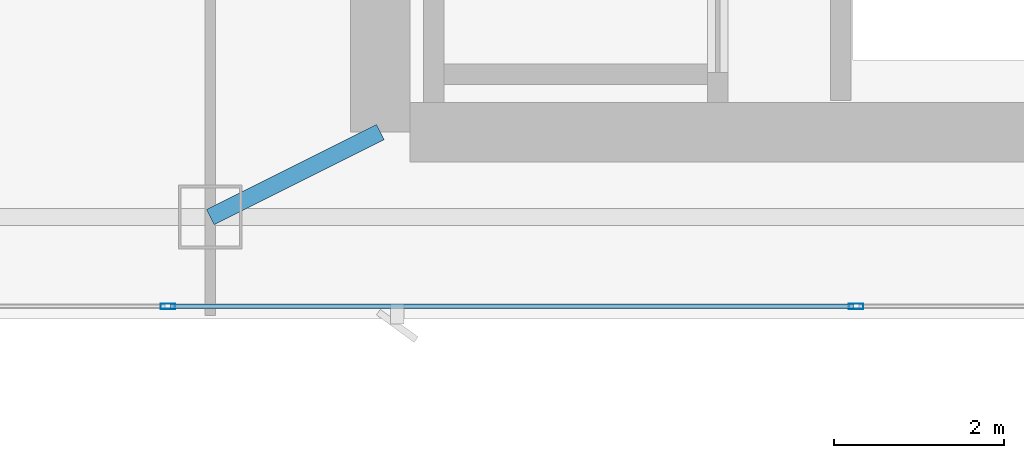
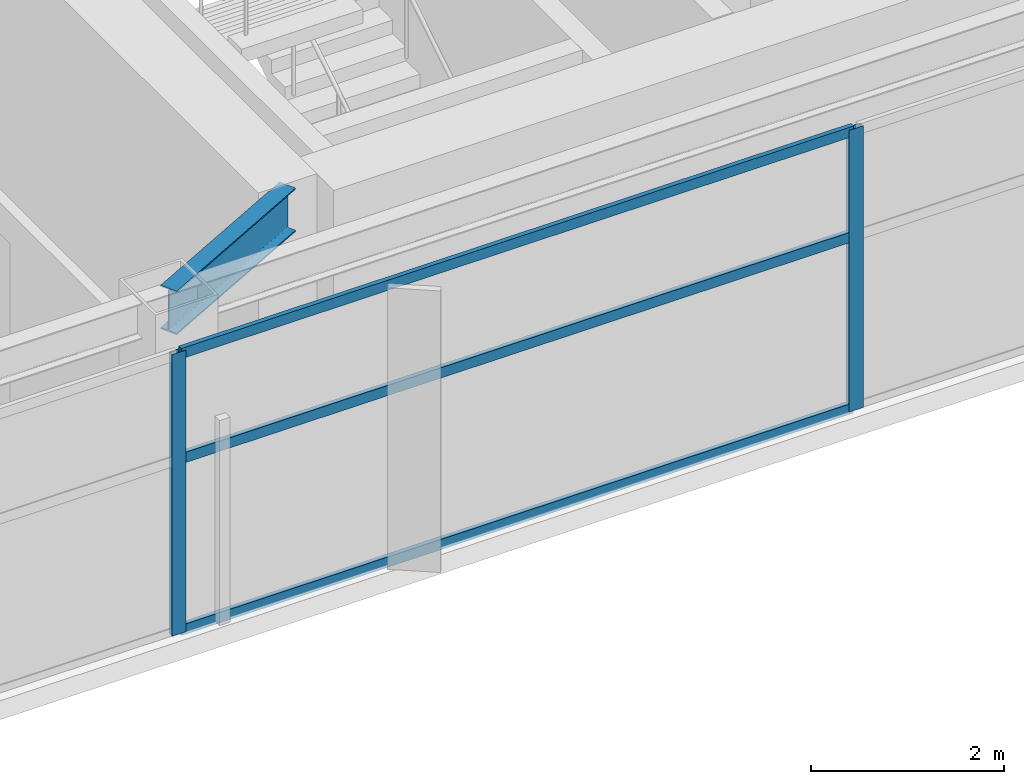
# One storey, part 7 of 29: 5 members, 1 beam, 1 element without a shape of its own.
"""IFC4 building model written with IfcOpenShell, lengths in metres."""

from ifc_helpers import new_model, si_unit, direction, frame, origin, origin_2d, place, context, subcontext, project, spatial, hollow_rectangle, i_section, extrude, material, layer, layer_set, material_profile, profile_set, type_object, element, aggregate, save


model = new_model("IFC4")

# Units and contexts
model_context = context("Model", 3, precision=1e-05, world=origin(), true_north=direction((0.0, 1.0)))
body_context = subcontext(model_context, "Body", "Model", "MODEL_VIEW")
ifc_project = project(units=[si_unit("LENGTHUNIT", "METRE"), si_unit("AREAUNIT", "SQUARE_METRE"), si_unit("VOLUMEUNIT", "CUBIC_METRE"), si_unit("PLANEANGLEUNIT", "RADIAN"), si_unit("MASSUNIT", "GRAM", prefix="KILO")], contexts=[model_context])

# Site, building, storey
site_placement = place(None, origin())
site = spatial("IfcSite", under=ifc_project, at=site_placement, CompositionType="ELEMENT")
building_placement = place(site_placement, origin())
building = spatial("IfcBuilding", under=site, at=building_placement, Name="Calvorn Quay Hotel", CompositionType="ELEMENT")
storey_placement = place(building_placement, frame((0.0, 0.0, 247.60009765625)))
storey = spatial("IfcBuildingStorey", under=building, at=storey_placement, Name="L61", CompositionType="ELEMENT", Elevation=247.60009765625)

# Beam
ifc_material_1 = material(Name="Steel Q355B", Category="steel")
ifc_material_profile_1 = material_profile(ifc_material_1, i_section(OverallWidth=0.199951171875, OverallDepth=0.550048828125, WebThickness=0.010009765625, FlangeThickness=0.01611328125, FilletRadius=0.01806640625, at=origin_2d()), Name="HN550x200x10x16")
ifc_profile_set_1 = profile_set([ifc_material_profile_1], Name="Steel Q355B")
beam_type = type_object("IfcBeamType", Name="BM-GIRD-UPP", PredefinedType="BEAM", material=ifc_profile_set_1)
beam_placement = place(storey_placement, frame((19.60009765625, 3.60009765625, 3.264892578125), z_axis=(0.894427191, 0.4472135955, 0.0), x_axis=(-0.4472135955, 0.894427191, 0.0)))
element("IfcBeam", 1, at=beam_placement, inside=storey, type_object=beam_type, Name="Beam BG-L61-S2", PredefinedType="BEAM", context=body_context, shape_type="SweptSolid", body=[
    extrude(i_section(OverallWidth=0.199951171875, OverallDepth=0.550048828125, WebThickness=0.010009765625, FlangeThickness=0.01611328125, FilletRadius=0.01806640625, at=origin_2d()), origin(), (0.0, 0.0, 1.0), 2.236083984375),
])

# Curtain wall, members
ifc_material_2 = material(Name="Champagne Bronze Anodised Aluminium and Low-E Glass", Category="aluminium")
ifc_layer = layer(ifc_material_2, 0.219970703125)
ifc_layer_set = layer_set([ifc_layer], Name="CW-SYS-Z4")
curtain_wall_type = type_object("IfcCurtainWallType", Name="CW-SYS-Z4", PredefinedType="NOTDEFINED", material=ifc_layer_set)
curtain_wall_placement = place(storey_placement, origin())
curtain_wall = element("IfcCurtainWall", 2, at=curtain_wall_placement, inside=storey, type_object=curtain_wall_type, Name="Tower South Waterfront Curtain Wall (L61)", PredefinedType="NOTDEFINED")
ifc_material_3 = material(Name="Champagne Bronze Anodised Aluminium 6063-T6", Category="aluminium")
ifc_material_profile_2 = material_profile(ifc_material_3, hollow_rectangle(XDim=0.06494140625, YDim=0.169921875, WallThickness=0.00341796875, at=origin_2d()), Name="ALU-M170x65x3.5")
ifc_profile_set_2 = profile_set([ifc_material_profile_2], Name="Champagne Bronze Anodised Aluminium 6063-T6")
member_type_1 = type_object("IfcMemberType", Name="CW-SYS-Z4-MUL", PredefinedType="MULLION", material=ifc_profile_set_2)
member_1_placement = place(storey_placement, frame((19.10009765625, 2.550048828125, 0.0), z_axis=(0.0, 0.0, 1.0), x_axis=(0.0, 1.0, 0.0)))
member_1 = element("IfcMember", 3, at=member_1_placement, type_object=member_type_1, Name="CW-L61-S mullion 2", PredefinedType="MULLION", context=body_context, shape_type="SweptSolid", body=[
    extrude(hollow_rectangle(XDim=0.06494140625, YDim=0.169921875, WallThickness=0.00341796875, at=origin_2d()), origin(), (0.0, 0.0, 1.0), 3.559814453125),
])
member_2_placement = place(storey_placement, frame((27.199951171875, 2.550048828125, 0.0), z_axis=(0.0, 0.0, 1.0), x_axis=(0.0, 1.0, 0.0)))
member_2 = element("IfcMember", 4, at=member_2_placement, type_object=member_type_1, Name="CW-L61-S mullion 3", PredefinedType="MULLION", context=body_context, shape_type="SweptSolid", body=[
    extrude(hollow_rectangle(XDim=0.06494140625, YDim=0.169921875, WallThickness=0.00341796875, at=origin_2d()), origin(), (0.0, 0.0, 1.0), 3.559814453125),
])
ifc_material_4 = material(Name="Champagne Bronze Anodised Aluminium 6063-T6", Category="aluminium")
ifc_material_profile_3 = material_profile(ifc_material_4, hollow_rectangle(XDim=0.054931640625, YDim=0.1298828125, WallThickness=0.003173828125, at=origin_2d()), Name="ALU-T130x55x3.2")
ifc_profile_set_3 = profile_set([ifc_material_profile_3], Name="Champagne Bronze Anodised Aluminium 6063-T6")
member_type_2 = type_object("IfcMemberType", Name="CW-SYS-Z4-TRN", PredefinedType="USERDEFINED", material=ifc_profile_set_3)
member_3_placement = place(storey_placement, frame((19.1298828125, 2.550048828125, 0.02978515625), z_axis=(1.0, 0.0, 0.0), x_axis=(0.0, 1.0, 0.0)))
member_3 = element("IfcMember", 5, at=member_3_placement, type_object=member_type_2, Name="CW-L61-S transom 2.1", ObjectType="TRANSOM", PredefinedType="USERDEFINED", context=body_context, shape_type="SweptSolid", body=[
    extrude(hollow_rectangle(XDim=0.054931640625, YDim=0.1298828125, WallThickness=0.003173828125, at=origin_2d()), origin(), (0.0, 0.0, 1.0), 8.0400390625),
])
member_4_placement = place(storey_placement, frame((19.1298828125, 2.550048828125, 2.199951171875), z_axis=(1.0, 0.0, 0.0), x_axis=(0.0, 1.0, 0.0)))
member_4 = element("IfcMember", 6, at=member_4_placement, type_object=member_type_2, Name="CW-L61-S transom 2.2", ObjectType="TRANSOM", PredefinedType="USERDEFINED", context=body_context, shape_type="SweptSolid", body=[
    extrude(hollow_rectangle(XDim=0.054931640625, YDim=0.1298828125, WallThickness=0.003173828125, at=origin_2d()), origin(), (0.0, 0.0, 1.0), 8.0400390625),
])
member_5_placement = place(storey_placement, frame((19.1298828125, 2.550048828125, 3.52978515625), z_axis=(1.0, 0.0, 0.0), x_axis=(0.0, 1.0, 0.0)))
member_5 = element("IfcMember", 7, at=member_5_placement, type_object=member_type_2, Name="CW-L61-S transom 2.3", ObjectType="TRANSOM", PredefinedType="USERDEFINED", context=body_context, shape_type="SweptSolid", body=[
    extrude(hollow_rectangle(XDim=0.054931640625, YDim=0.1298828125, WallThickness=0.003173828125, at=origin_2d()), origin(), (0.0, 0.0, 1.0), 8.0400390625),
])
aggregate(curtain_wall, [member_1, member_2, member_3, member_4, member_5])

save(model, "model.ifc")
